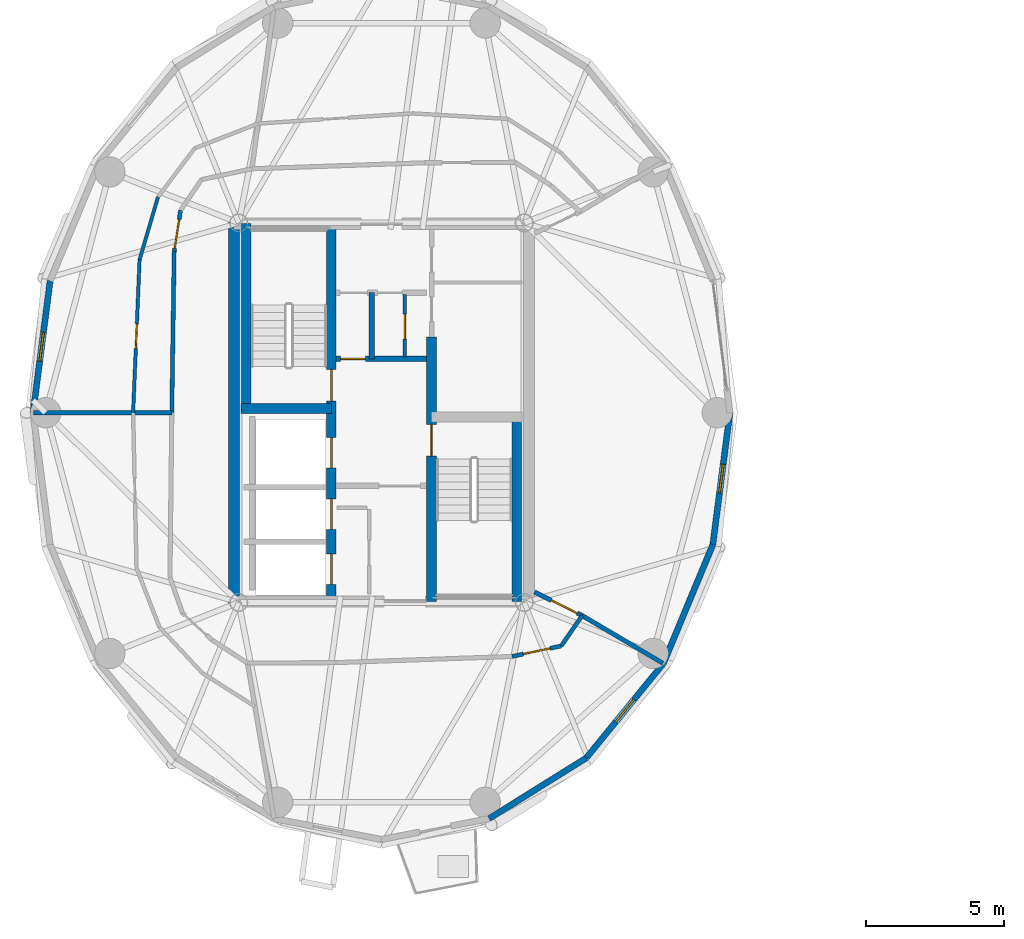
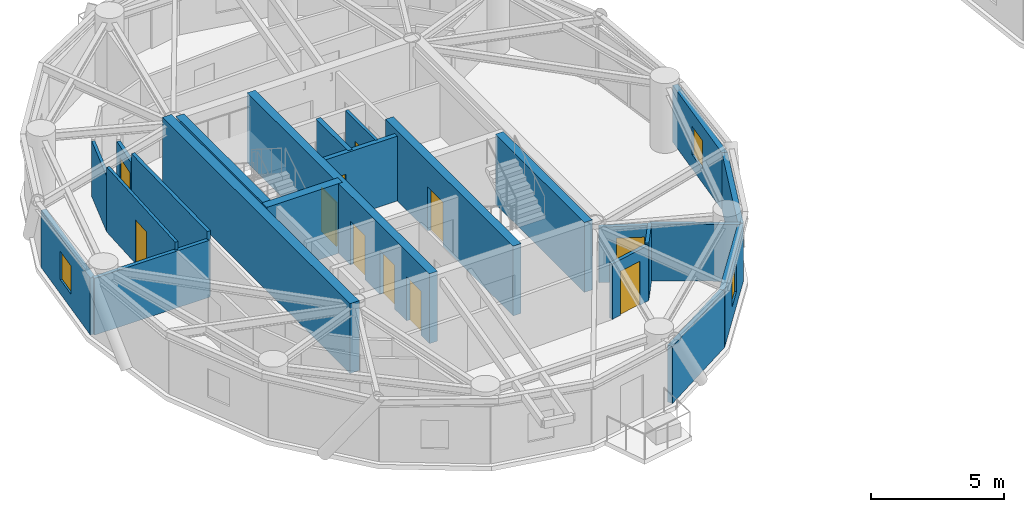
# One storey, part 9 of 17: 23 walls, 11 doors, 3 windows, 14 openings.
"""IFC4 building model written with IfcOpenShell, lengths in metres."""

from ifc_helpers import new_model, si_unit, direction, frame, frame_2d, origin, place, context, subcontext, project, spatial, rectangle, extrude, source, transform, mapped, material, layer, layer_set, type_object, element, fill, save


model = new_model("IFC4")

# Units and contexts
model_context = context("Model", 3, precision=1e-05, world=origin(), true_north=direction((0.0, 1.0)))
body_context = subcontext(model_context, "Body", "Model", "MODEL_VIEW")
ifc_project = project(units=[si_unit("LENGTHUNIT", "METRE"), si_unit("AREAUNIT", "SQUARE_METRE"), si_unit("VOLUMEUNIT", "CUBIC_METRE"), si_unit("PLANEANGLEUNIT", "RADIAN"), si_unit("MASSUNIT", "GRAM", prefix="KILO")], contexts=[model_context])

# Site, building, storey
site_placement = place(None, origin())
site = spatial("IfcSite", under=ifc_project, at=site_placement, CompositionType="ELEMENT")
building_placement = place(site_placement, origin())
building = spatial("IfcBuilding", under=site, at=building_placement, Name="Cununo Teusaquillo Station Towers", CompositionType="ELEMENT")
storey_placement = place(building_placement, frame((0.0, 0.0, 222.85009765625)))
storey = spatial("IfcBuildingStorey", under=building, at=storey_placement, Name="L71", CompositionType="ELEMENT", Elevation=222.85009765625)

# Wall, openings, doors
ifc_material_1 = material(Name="Concrete C50/60", Category="concrete")
ifc_layer_1 = layer(ifc_material_1, 0.35009765625)
ifc_layer_set_1 = layer_set([ifc_layer_1], Name="Concrete C50/60")
wall_type_1 = type_object("IfcWallType", Name="WL-CORE-350", PredefinedType="SHEAR", material=ifc_layer_set_1)
wall_1_placement = place(storey_placement, frame((14.68505859375, 17.64990234375, 0.0), z_axis=(0.0, 0.0, 1.0), x_axis=(0.0, 1.0, 0.0)))
wall_1 = element("IfcWall", 1, at=wall_1_placement, inside=storey, type_object=wall_type_1, Name="L71 Tower A Core Shear Wall IW", PredefinedType="SHEAR", context=body_context, shape_type="SweptSolid", body=[
    extrude(rectangle(XDim=13.7001953125, YDim=0.35009765625, at=frame_2d((6.85009765625, 0.0))), origin(), (0.0, 0.0, 1.0), 3.199951171875),
])
shared_shape_1 = source(origin(), body_context, "Body", "SweptSolid", [
    extrude(rectangle(XDim=1.10009765625, YDim=2.014892578125, at=frame_2d((0.550048828125, 1.00732421875))), frame((0.0, 0.18505859375, 0.0), z_axis=(0.0, -1.0, 0.0), x_axis=(1.0, 0.0, 0.0)), (0.0, 0.0, 1.0), 0.3701171875),
])
opening_1_placement = place(wall_1_placement, frame((4.85009765625, 0.0, 0.0)))
opening_1 = element("IfcOpeningElement", 2, at=opening_1_placement, cuts=wall_1, Name="Opening LD-01", PredefinedType="OPENING", context=body_context, shape_type="MappedRepresentation", body=[
    mapped(shared_shape_1, transform((0.0, 0.0, 0.0), x_axis=(1.0, 0.0, 0.0), y_axis=(0.0, 1.0, 0.0), z_axis=(0.0, 0.0, 1.0), scale=1.0)),
])
opening_2_placement = place(wall_1_placement, frame((0.625, 0.0, 0.0)))
opening_2 = element("IfcOpeningElement", 3, at=opening_2_placement, cuts=wall_1, Name="Opening LD-01", PredefinedType="OPENING", context=body_context, shape_type="MappedRepresentation", body=[
    mapped(shared_shape_1, transform((0.0, 0.0, 0.0), x_axis=(1.0, 0.0, 0.0), y_axis=(0.0, 1.0, 0.0), z_axis=(0.0, 0.0, 1.0), scale=1.0)),
])
opening_3_placement = place(wall_1_placement, frame((2.625, 0.0, 0.0)))
opening_3 = element("IfcOpeningElement", 4, at=opening_3_placement, cuts=wall_1, Name="Opening LD-01", PredefinedType="OPENING", context=body_context, shape_type="MappedRepresentation", body=[
    mapped(shared_shape_1, transform((0.0, 0.0, 0.0), x_axis=(1.0, 0.0, 0.0), y_axis=(0.0, 1.0, 0.0), z_axis=(0.0, 0.0, 1.0), scale=1.0)),
])
shared_shape_2 = source(origin(), body_context, "Body", "SweptSolid", [
    extrude(rectangle(XDim=1.14990234375, YDim=2.02001953125, at=frame_2d((0.574951171875, 1.010009765625))), frame((0.0, 0.18505859375, 0.0), z_axis=(0.0, -1.0, 0.0), x_axis=(1.0, 0.0, 0.0)), (0.0, 0.0, 1.0), 0.3701171875),
])
opening_4_placement = place(wall_1_placement, frame((7.27001953125, 0.0, 0.0)))
opening_4 = element("IfcOpeningElement", 5, at=opening_4_placement, cuts=wall_1, Name="Opening D-ST1", PredefinedType="OPENING", context=body_context, shape_type="MappedRepresentation", body=[
    mapped(shared_shape_2, transform((0.0, 0.0, 0.0), x_axis=(1.0, 0.0, 0.0), y_axis=(0.0, 1.0, 0.0), z_axis=(0.0, 0.0, 1.0), scale=1.0)),
])
ifc_material_2 = material(Name="Galvanised fire-rated hollow steel door assembly", Category="steel")
door_type_1 = type_object("IfcDoorType", Name="DR-LIFT-1100", OperationType="SLIDING_TO_LEFT", PredefinedType="DOOR", material=ifc_material_2)
shared_shape_3 = source(origin(), body_context, "Body", "SweptSolid", [
    extrude(rectangle(XDim=1.10009765625, YDim=2.014892578125, at=frame_2d((0.550048828125, 1.00732421875))), frame((0.0, 0.02490234375, 0.0), z_axis=(0.0, -1.0, 0.0), x_axis=(1.0, 0.0, 0.0)), (0.0, 0.0, 1.0), 0.050048828125),
])
door_1_placement = place(opening_1_placement, origin())
door_1 = element("IfcDoor", 6, at=door_1_placement, inside=storey, type_object=door_type_1, Name="L71 Lift FL-T1 Sliding Landing Door", OperationType="SLIDING_TO_RIGHT", OverallHeight=2.014892578125, OverallWidth=1.10009765625, PredefinedType="DOOR", context=body_context, shape_type="MappedRepresentation", body=[
    mapped(shared_shape_3, transform((0.0, 0.0, 0.0), x_axis=(1.0, 0.0, 0.0), y_axis=(0.0, 1.0, 0.0), z_axis=(0.0, 0.0, 1.0), scale=1.0)),
])
fill(opening_1, door_1)
door_2_placement = place(opening_2_placement, origin())
door_2 = element("IfcDoor", 7, at=door_2_placement, inside=storey, type_object=door_type_1, Name="L71 Lift PL-T1-H1 Sliding Landing Door", OperationType="SLIDING_TO_RIGHT", OverallHeight=2.014892578125, OverallWidth=1.10009765625, PredefinedType="DOOR", context=body_context, shape_type="MappedRepresentation", body=[
    mapped(shared_shape_3, transform((0.0, 0.0, 0.0), x_axis=(1.0, 0.0, 0.0), y_axis=(0.0, 1.0, 0.0), z_axis=(0.0, 0.0, 1.0), scale=1.0)),
])
fill(opening_2, door_2)
door_3_placement = place(opening_3_placement, origin())
door_3 = element("IfcDoor", 8, at=door_3_placement, inside=storey, type_object=door_type_1, Name="L71 Lift PL-T1-H2 Sliding Landing Door", OperationType="SLIDING_TO_LEFT", OverallHeight=2.014892578125, OverallWidth=1.10009765625, PredefinedType="DOOR", context=body_context, shape_type="MappedRepresentation", body=[
    mapped(shared_shape_3, transform((0.0, 0.0, 0.0), x_axis=(1.0, 0.0, 0.0), y_axis=(0.0, 1.0, 0.0), z_axis=(0.0, 0.0, 1.0), scale=1.0)),
])
fill(opening_3, door_3)
ifc_material_3 = material(Name="Galvanised fire-rated hollow steel door assembly", Category="steel")
door_type_2 = type_object("IfcDoorType", Name="DR-STAIR-1150", OperationType="NOTDEFINED", PredefinedType="DOOR", material=ifc_material_3)
shared_shape_4 = source(origin(), body_context, "Body", "SweptSolid", [
    extrude(rectangle(XDim=1.14990234375, YDim=2.02001953125, at=frame_2d((0.574951171875, 1.010009765625))), frame((0.0, 0.02490234375, 0.0), z_axis=(0.0, -1.0, 0.0), x_axis=(1.0, 0.0, 0.0)), (0.0, 0.0, 1.0), 0.050048828125),
])
door_4_placement = place(opening_4_placement, origin())
door_4 = element("IfcDoor", 9, at=door_4_placement, inside=storey, type_object=door_type_2, Name="L71 Tower A Exit Stair 1 Fire Door", OperationType="SINGLE_SWING_RIGHT", OverallHeight=2.02001953125, OverallWidth=1.14990234375, PredefinedType="DOOR", context=body_context, shape_type="MappedRepresentation", body=[
    mapped(shared_shape_4, transform((0.0, 0.0, 0.0), x_axis=(1.0, 0.0, 0.0), y_axis=(0.0, 1.0, 0.0), z_axis=(0.0, 0.0, 1.0), scale=1.0)),
])
fill(opening_4, door_4)

# Wall, opening, door
wall_2_placement = place(storey_placement, frame((18.31494140625, 17.64990234375, 0.0), z_axis=(0.0, 0.0, 1.0), x_axis=(0.0, 1.0, 0.0)))
wall_2 = element("IfcWall", 10, at=wall_2_placement, inside=storey, type_object=wall_type_1, Name="L71 Tower A Core Shear Wall IE", PredefinedType="SHEAR", context=body_context, shape_type="SweptSolid", body=[
    extrude(rectangle(XDim=9.60009765625, YDim=0.35009765625, at=frame_2d((4.800048828125, 0.0))), origin(), (0.0, 0.0, 1.0), 3.199951171875),
])
opening_5_placement = place(wall_2_placement, frame((5.280029296875, 0.0, 0.0)))
opening_5 = element("IfcOpeningElement", 11, at=opening_5_placement, cuts=wall_2, Name="Opening D-ST1", PredefinedType="OPENING", context=body_context, shape_type="MappedRepresentation", body=[
    mapped(shared_shape_2, transform((0.0, 0.0, 0.0), x_axis=(1.0, 0.0, 0.0), y_axis=(0.0, 1.0, 0.0), z_axis=(0.0, 0.0, 1.0), scale=1.0)),
])
door_5_placement = place(opening_5_placement, origin())
door_5 = element("IfcDoor", 12, at=door_5_placement, inside=storey, type_object=door_type_2, Name="L71 Tower A Exit Stair 2 Fire Door", OperationType="SINGLE_SWING_LEFT", OverallHeight=2.02001953125, OverallWidth=1.14990234375, PredefinedType="DOOR", context=body_context, shape_type="MappedRepresentation", body=[
    mapped(shared_shape_4, transform((0.0, 0.0, 0.0), x_axis=(1.0, 0.0, 0.0), y_axis=(0.0, 1.0, 0.0), z_axis=(0.0, 0.0, 1.0), scale=1.0)),
])
fill(opening_5, door_5)

# Walls
wall_3_placement = place(storey_placement, frame((11.594970703125, 24.655029296875, 0.0), z_axis=(0.0, 0.0, 1.0), x_axis=(0.0, 1.0, 0.0)))
element("IfcWall", 13, at=wall_3_placement, inside=storey, type_object=wall_type_1, Name="L71 Tower A Core Shear Wall ST1W", PredefinedType="SHEAR", context=body_context, shape_type="SweptSolid", body=[
    extrude(rectangle(XDim=6.695068359375, YDim=0.35009765625, at=frame_2d((3.34765625, 0.0))), origin(), (0.0, 0.0, 1.0), 3.199951171875),
])
wall_4_placement = place(storey_placement, frame((11.39990234375, 24.655029296875, 0.0), z_axis=(0.0, 0.0, 1.0), x_axis=(1.0, 0.0, 0.0)))
element("IfcWall", 14, at=wall_4_placement, inside=storey, type_object=wall_type_1, Name="L71 Tower A Core Shear Wall ST1S", PredefinedType="SHEAR", context=body_context, shape_type="SweptSolid", body=[
    extrude(rectangle(XDim=3.28515625, YDim=0.35009765625, at=frame_2d((1.642578125, 0.0))), origin(), (0.0, 0.0, 1.0), 3.199951171875),
])
wall_5_placement = place(storey_placement, frame((21.405029296875, 17.64990234375, 0.0), z_axis=(0.0, 0.0, 1.0), x_axis=(0.0, 1.0, 0.0)))
element("IfcWall", 15, at=wall_5_placement, inside=storey, type_object=wall_type_1, Name="L71 Tower A Core Shear Wall ST2E", PredefinedType="SHEAR", context=body_context, shape_type="SweptSolid", body=[
    extrude(rectangle(XDim=6.695068359375, YDim=0.35009765625, at=frame_2d((3.34765625, 0.0))), origin(), (0.0, 0.0, 1.0), 3.199951171875),
])
ifc_material_4 = material(Name="Concrete C50/60", Category="concrete")
ifc_layer_2 = layer(ifc_material_4, 0.39990234375)
ifc_layer_set_2 = layer_set([ifc_layer_2], Name="Concrete C50/60")
wall_type_2 = type_object("IfcWallType", Name="WL-CORE-400", PredefinedType="SHEAR", material=ifc_layer_set_2)
wall_6_placement = place(storey_placement, frame((11.14990234375, 17.449951171875, 0.0), z_axis=(0.0, 0.0, 1.0), x_axis=(0.0, 1.0, 0.0)))
element("IfcWall", 16, at=wall_6_placement, inside=storey, type_object=wall_type_2, Name="L71 Tower A Core Shear Wall W", PredefinedType="SHEAR", context=body_context, shape_type="SweptSolid", body=[
    extrude(rectangle(XDim=14.10009765625, YDim=0.39990234375, at=frame_2d((7.050048828125, 0.0))), origin(), (0.0, 0.0, 1.0), 3.199951171875),
])

# Wall, opening, window
ifc_material_5 = material(Name="Precast concrete C40/50", Category="concrete")
ifc_layer_3 = layer(ifc_material_5, 0.219970703125)
ifc_layer_set_3 = layer_set([ifc_layer_3], Name="Precast concrete C40/50")
wall_type_3 = type_object("IfcWallType", Name="WL-EXT-220", PredefinedType="SOLIDWALL", material=ifc_layer_set_3)
wall_7_placement = place(storey_placement, frame((3.8701171875, 24.5, 0.0), z_axis=(0.0, 0.0, 1.0), x_axis=(0.128241318541, 0.991742993027, 0.0)))
wall_7 = element("IfcWall", 17, at=wall_7_placement, inside=storey, type_object=wall_type_3, Name="L71 Tower A Exterior Facade Wall C09", PredefinedType="SOLIDWALL", context=body_context, shape_type="SweptSolid", body=[
    extrude(rectangle(XDim=4.8203125, YDim=0.219970703125, at=frame_2d((2.41015625, 0.0))), origin(), (0.0, 0.0, 1.0), 2.61181640625),
])
shared_shape_5 = source(origin(), body_context, "Body", "SweptSolid", [
    extrude(rectangle(XDim=1.050048828125, YDim=1.300048828125, at=frame_2d((0.52490234375, 0.64990234375))), frame((0.0, 0.119873046875, 0.0), z_axis=(0.0, -1.0, 0.0), x_axis=(1.0, 0.0, 0.0)), (0.0, 0.0, 1.0), 0.239990234375),
])
opening_6_placement = place(wall_7_placement, frame((1.885009765625, 0.0, 0.64990234375)))
opening_6 = element("IfcOpeningElement", 18, at=opening_6_placement, cuts=wall_7, Name="Opening WN-04", PredefinedType="OPENING", context=body_context, shape_type="MappedRepresentation", body=[
    mapped(shared_shape_5, transform((0.0, 0.0, 0.0), x_axis=(1.0, 0.0, 0.0), y_axis=(0.0, 1.0, 0.0), z_axis=(0.0, 0.0, 1.0), scale=1.0)),
])
ifc_material_6 = material(Name="Operable acoustic tinted low-E double glazing", Category="glass")
window_type = type_object("IfcWindowType", Name="WIN-BAL-1050", PartitioningType="SINGLE_PANEL", PredefinedType="WINDOW", material=ifc_material_6)
shared_shape_6 = source(origin(), body_context, "Body", "SweptSolid", [
    extrude(rectangle(XDim=1.050048828125, YDim=1.300048828125, at=frame_2d((0.52490234375, 0.64990234375))), frame((0.0, 0.030029296875, 0.0), z_axis=(0.0, -1.0, 0.0), x_axis=(1.0, 0.0, 0.0)), (0.0, 0.0, 1.0), 0.06005859375),
])
window_1_placement = place(opening_6_placement, origin())
window_1 = element("IfcWindow", 19, at=window_1_placement, inside=storey, type_object=window_type, Name="L71 Tower A Facade Window C09", OverallHeight=1.300048828125, OverallWidth=1.050048828125, PartitioningType="SINGLE_PANEL", PredefinedType="WINDOW", context=body_context, shape_type="MappedRepresentation", body=[
    mapped(shared_shape_6, transform((0.0, 0.0, 0.0), x_axis=(1.0, 0.0, 0.0), y_axis=(0.0, 1.0, 0.0), z_axis=(0.0, 0.0, 1.0), scale=1.0)),
])
fill(opening_6, window_1)

# Wall
wall_8_placement = place(storey_placement, frame((23.923583984375, 11.984619140625, 0.0), z_axis=(0.0, 0.0, 1.0), x_axis=(-0.848318713376, -0.529485939886, 0.0)))
element("IfcWall", 20, at=wall_8_placement, inside=storey, type_object=wall_type_3, Name="L71 Tower A Exterior Facade Wall C16", PredefinedType="SOLIDWALL", context=body_context, shape_type="SweptSolid", body=[
    extrude(rectangle(XDim=4.150390625, YDim=0.219970703125, at=frame_2d((2.0751953125, 0.0))), origin(), (0.0, 0.0, 1.0), 2.61181640625),
])

# Wall, opening, window
wall_9_placement = place(storey_placement, frame((26.718017578125, 15.406982421875, 0.0), z_axis=(0.0, 0.0, 1.0), x_axis=(-0.632467166636, -0.774587169483, 0.0)))
wall_9 = element("IfcWall", 21, at=wall_9_placement, inside=storey, type_object=wall_type_3, Name="L71 Tower A Exterior Facade Wall C17", PredefinedType="SOLIDWALL", context=body_context, shape_type="SweptSolid", body=[
    extrude(rectangle(XDim=4.418212890625, YDim=0.219970703125, at=frame_2d((2.208984375, 0.0))), origin(), (0.0, 0.0, 1.0), 2.61181640625),
])
opening_7_placement = place(wall_9_placement, frame((1.68408203125, 0.0, 0.64990234375)))
opening_7 = element("IfcOpeningElement", 22, at=opening_7_placement, cuts=wall_9, Name="Opening WN-04", PredefinedType="OPENING", context=body_context, shape_type="MappedRepresentation", body=[
    mapped(shared_shape_5, transform((0.0, 0.0, 0.0), x_axis=(1.0, 0.0, 0.0), y_axis=(0.0, 1.0, 0.0), z_axis=(0.0, 0.0, 1.0), scale=1.0)),
])
window_2_placement = place(opening_7_placement, origin())
window_2 = element("IfcWindow", 23, at=window_2_placement, inside=storey, type_object=window_type, Name="L71 Tower A Facade Window C17", OverallHeight=1.300048828125, OverallWidth=1.050048828125, PartitioningType="SINGLE_PANEL", PredefinedType="WINDOW", context=body_context, shape_type="MappedRepresentation", body=[
    mapped(shared_shape_6, transform((0.0, 0.0, 0.0), x_axis=(1.0, 0.0, 0.0), y_axis=(0.0, 1.0, 0.0), z_axis=(0.0, 0.0, 1.0), scale=1.0)),
])
fill(opening_7, window_2)

# Wall
wall_10_placement = place(storey_placement, frame((28.51171875, 19.719482421875, 0.0), z_axis=(0.0, 0.0, 1.0), x_axis=(-0.384036305194, -0.923317993052, 0.0)))
element("IfcWall", 24, at=wall_10_placement, inside=storey, type_object=wall_type_3, Name="L71 Tower A Exterior Facade Wall C18", PredefinedType="SOLIDWALL", context=body_context, shape_type="SweptSolid", body=[
    extrude(rectangle(XDim=4.670654296875, YDim=0.219970703125, at=frame_2d((2.33544921875, 0.0))), origin(), (0.0, 0.0, 1.0), 2.61181640625),
])

# Wall, opening, window
wall_11_placement = place(storey_placement, frame((29.1298828125, 24.5, 0.0), z_axis=(0.0, 0.0, 1.0), x_axis=(-0.128241318541, -0.991742993027, 0.0)))
wall_11 = element("IfcWall", 25, at=wall_11_placement, inside=storey, type_object=wall_type_3, Name="L71 Tower A Exterior Facade Wall C19", PredefinedType="SOLIDWALL", context=body_context, shape_type="SweptSolid", body=[
    extrude(rectangle(XDim=4.8203125, YDim=0.219970703125, at=frame_2d((2.41015625, 0.0))), origin(), (0.0, 0.0, 1.0), 2.61181640625),
])
opening_8_placement = place(wall_11_placement, frame((1.885009765625, 0.0, 0.64990234375)))
opening_8 = element("IfcOpeningElement", 26, at=opening_8_placement, cuts=wall_11, Name="Opening WN-04", PredefinedType="OPENING", context=body_context, shape_type="MappedRepresentation", body=[
    mapped(shared_shape_5, transform((0.0, 0.0, 0.0), x_axis=(1.0, 0.0, 0.0), y_axis=(0.0, 1.0, 0.0), z_axis=(0.0, 0.0, 1.0), scale=1.0)),
])
window_3_placement = place(opening_8_placement, origin())
window_3 = element("IfcWindow", 27, at=window_3_placement, inside=storey, type_object=window_type, Name="L71 Tower A Facade Window C19", OverallHeight=1.300048828125, OverallWidth=1.050048828125, PartitioningType="SINGLE_PANEL", PredefinedType="WINDOW", context=body_context, shape_type="MappedRepresentation", body=[
    mapped(shared_shape_6, transform((0.0, 0.0, 0.0), x_axis=(1.0, 0.0, 0.0), y_axis=(0.0, 1.0, 0.0), z_axis=(0.0, 0.0, 1.0), scale=1.0)),
])
fill(opening_8, window_3)

# Wall, opening, door
ifc_material_7 = material(Name="Fire-rated gypsum plasterboard partition assembly", Category="gypsum")
ifc_layer_4 = layer(ifc_material_7, 0.125)
ifc_layer_set_4 = layer_set([ifc_layer_4], Name="Fire-rated gypsum plasterboard partition assembly")
wall_type_4 = type_object("IfcWallType", Name="WL-PART-125", PredefinedType="PARTITIONING", material=ifc_layer_set_4)
wall_12_placement = place(storey_placement, frame((17.35009765625, 26.52001953125, 0.0), z_axis=(0.0, 0.0, 1.0), x_axis=(0.0, 1.0, 0.0)))
wall_12 = element("IfcWall", 28, at=wall_12_placement, inside=storey, type_object=wall_type_4, Name="L71 Tower A Core Vertical Split Wall", PredefinedType="PARTITIONING", context=body_context, shape_type="SweptSolid", body=[
    extrude(rectangle(XDim=2.260009765625, YDim=0.125, at=frame_2d((1.1298828125, 0.0))), origin(), (0.0, 0.0, 1.0), 2.974853515625),
])
shared_shape_7 = source(origin(), body_context, "Body", "SweptSolid", [
    extrude(rectangle(XDim=0.89990234375, YDim=2.0048828125, at=frame_2d((0.449951171875, 1.00244140625))), frame((0.0, 0.072509765625, 0.0), z_axis=(0.0, -1.0, 0.0), x_axis=(1.0, 0.0, 0.0)), (0.0, 0.0, 1.0), 0.14501953125),
])
opening_9_placement = place(wall_12_placement, frame((0.64990234375, 0.0, 0.0)))
opening_9 = element("IfcOpeningElement", 29, at=opening_9_placement, cuts=wall_12, Name="Opening D-SR1", PredefinedType="OPENING", context=body_context, shape_type="MappedRepresentation", body=[
    mapped(shared_shape_7, transform((0.0, 0.0, 0.0), x_axis=(1.0, 0.0, 0.0), y_axis=(0.0, 1.0, 0.0), z_axis=(0.0, 0.0, 1.0), scale=1.0)),
])
ifc_material_8 = material(Name="Galvanised fire-rated hollow steel door assembly", Category="steel")
door_type_3 = type_object("IfcDoorType", Name="DR-STORE-900", OperationType="NOTDEFINED", PredefinedType="DOOR", material=ifc_material_8)
shared_shape_8 = source(origin(), body_context, "Body", "SweptSolid", [
    extrude(rectangle(XDim=0.89990234375, YDim=2.0048828125, at=frame_2d((0.449951171875, 1.00244140625))), frame((0.0, 0.02490234375, 0.0), z_axis=(0.0, -1.0, 0.0), x_axis=(1.0, 0.0, 0.0)), (0.0, 0.0, 1.0), 0.050048828125),
])
door_6_placement = place(opening_9_placement, origin())
door_6 = element("IfcDoor", 30, at=door_6_placement, inside=storey, type_object=door_type_3, Name="L71 Tower A Core Electrical Room Door", OperationType="SINGLE_SWING_RIGHT", OverallHeight=2.0048828125, OverallWidth=0.89990234375, PredefinedType="DOOR", context=body_context, shape_type="MappedRepresentation", body=[
    mapped(shared_shape_8, transform((0.0, 0.0, 0.0), x_axis=(1.0, 0.0, 0.0), y_axis=(0.0, 1.0, 0.0), z_axis=(0.0, 0.0, 1.0), scale=1.0)),
])
fill(opening_9, door_6)

# Wall
wall_13_placement = place(storey_placement, frame((8.40087890625, 32.32568359375, 0.0), z_axis=(0.0, 0.0, 1.0), x_axis=(-0.281681886596, -0.959507850288, 0.0)))
element("IfcWall", 31, at=wall_13_placement, inside=storey, type_object=wall_type_4, Name="L71 Tower A Chef Tasting Counter & Wine Vault Concentric Partition Wall C08", PredefinedType="PARTITIONING", context=body_context, shape_type="SweptSolid", body=[
    extrude(rectangle(XDim=2.3740234375, YDim=0.125, at=frame_2d((1.18701171875, 0.0))), origin(), (0.0, 0.0, 1.0), 2.544921875),
])

# Wall, opening, door
wall_14_placement = place(storey_placement, frame((7.732177734375, 30.0478515625, 0.0), z_axis=(0.0, 0.0, 1.0), x_axis=(-0.042296211955, -0.999105114817, 0.0)))
wall_14 = element("IfcWall", 32, at=wall_14_placement, inside=storey, type_object=wall_type_4, Name="L71 Tower A Chef Tasting Counter & Wine Vault Concentric Partition Wall C09", PredefinedType="PARTITIONING", context=body_context, shape_type="SweptSolid", body=[
    extrude(rectangle(XDim=5.552734375, YDim=0.125, at=frame_2d((2.7763671875, 0.0))), origin(), (0.0, 0.0, 1.0), 2.974853515625),
])
opening_10_placement = place(wall_14_placement, frame((2.326416015625, 0.0, 0.0)))
opening_10 = element("IfcOpeningElement", 33, at=opening_10_placement, cuts=wall_14, Name="Opening D-IN1", PredefinedType="OPENING", context=body_context, shape_type="MappedRepresentation", body=[
    mapped(shared_shape_7, transform((0.0, 0.0, 0.0), x_axis=(1.0, 0.0, 0.0), y_axis=(0.0, 1.0, 0.0), z_axis=(0.0, 0.0, 1.0), scale=1.0)),
])
ifc_material_9 = material(Name="Acoustic solid-core hardwood leaf assembly", Category="wood")
door_type_4 = type_object("IfcDoorType", Name="DR-INT-900", OperationType="NOTDEFINED", PredefinedType="DOOR", material=ifc_material_9)
door_7_placement = place(opening_10_placement, origin())
door_7 = element("IfcDoor", 34, at=door_7_placement, inside=storey, type_object=door_type_4, Name="L71 Tower A Chef Tasting Counter & Wine Vault Connecting Door", OperationType="SINGLE_SWING_RIGHT", OverallHeight=2.0048828125, OverallWidth=0.89990234375, PredefinedType="DOOR", context=body_context, shape_type="MappedRepresentation", body=[
    mapped(shared_shape_8, transform((0.0, 0.0, 0.0), x_axis=(1.0, 0.0, 0.0), y_axis=(0.0, 1.0, 0.0), z_axis=(0.0, 0.0, 1.0), scale=1.0)),
])
fill(opening_10, door_7)

ifc_material_10 = material(Name="Fire-rated gypsum plasterboard partition assembly", Category="gypsum")
ifc_layer_5 = layer(ifc_material_10, 0.14990234375)
ifc_layer_set_5 = layer_set([ifc_layer_5], Name="Fire-rated gypsum plasterboard partition assembly")
wall_type_5 = type_object("IfcWallType", Name="WL-PART-150", PredefinedType="PARTITIONING", material=ifc_layer_set_5)
wall_15_placement = place(storey_placement, frame((9.218505859375, 31.837646484375, 0.0), z_axis=(0.0, 0.0, 1.0), x_axis=(-0.154065528966, -0.98806063214, 0.0)))
wall_15 = element("IfcWall", 35, at=wall_15_placement, inside=storey, type_object=wall_type_5, Name="L71 Tower A Corridor Ring Wall C08", PredefinedType="PARTITIONING", context=body_context, shape_type="SweptSolid", body=[
    extrude(rectangle(XDim=1.507080078125, YDim=0.14990234375, at=frame_2d((0.75341796875, 0.0))), origin(), (0.0, 0.0, 1.0), 2.544921875),
])
shared_shape_9 = source(origin(), body_context, "Body", "SweptSolid", [
    extrude(rectangle(XDim=1.050048828125, YDim=2.014892578125, at=frame_2d((0.52490234375, 1.00732421875))), frame((0.0, 0.0849609375, 0.0), z_axis=(0.0, -1.0, 0.0), x_axis=(1.0, 0.0, 0.0)), (0.0, 0.0, 1.0), 0.169921875),
])
opening_11_placement = place(wall_15_placement, frame((0.3369140625, 0.0, 0.0)))
opening_11 = element("IfcOpeningElement", 36, at=opening_11_placement, cuts=wall_15, Name="Opening D-SU1", PredefinedType="OPENING", context=body_context, shape_type="MappedRepresentation", body=[
    mapped(shared_shape_9, transform((0.0, 0.0, 0.0), x_axis=(1.0, 0.0, 0.0), y_axis=(0.0, 1.0, 0.0), z_axis=(0.0, 0.0, 1.0), scale=1.0)),
])
ifc_material_11 = material(Name="Acoustic solid-core hardwood leaf assembly", Category="wood")
door_type_5 = type_object("IfcDoorType", Name="DR-SUITE-1050", OperationType="NOTDEFINED", PredefinedType="DOOR", material=ifc_material_11)
shared_shape_10 = source(origin(), body_context, "Body", "SweptSolid", [
    extrude(rectangle(XDim=1.050048828125, YDim=2.014892578125, at=frame_2d((0.52490234375, 1.00732421875))), frame((0.0, 0.02490234375, 0.0), z_axis=(0.0, -1.0, 0.0), x_axis=(1.0, 0.0, 0.0)), (0.0, 0.0, 1.0), 0.050048828125),
])
door_8_placement = place(opening_11_placement, origin())
door_8 = element("IfcDoor", 37, at=door_8_placement, inside=storey, type_object=door_type_5, Name="L71 Tower A Chef Tasting Counter & Wine Vault Entrance Door", OperationType="SINGLE_SWING_LEFT", OverallHeight=2.014892578125, OverallWidth=1.050048828125, PredefinedType="DOOR", context=body_context, shape_type="MappedRepresentation", body=[
    mapped(shared_shape_10, transform((0.0, 0.0, 0.0), x_axis=(1.0, 0.0, 0.0), y_axis=(0.0, 1.0, 0.0), z_axis=(0.0, 0.0, 1.0), scale=1.0)),
])
fill(opening_11, door_8)

# Wall
wall_16_placement = place(storey_placement, frame((8.986328125, 30.3486328125, 0.0), z_axis=(0.0, 0.0, 1.0), x_axis=(-0.014775478218, -0.999890836663, 0.0)))
element("IfcWall", 38, at=wall_16_placement, inside=storey, type_object=wall_type_5, Name="L71 Tower A Corridor Ring Wall C09", PredefinedType="PARTITIONING", context=body_context, shape_type="SweptSolid", body=[
    extrude(rectangle(XDim=5.849365234375, YDim=0.14990234375, at=frame_2d((2.9248046875, 0.0))), origin(), (0.0, 0.0, 1.0), 2.974853515625),
])

# Wall, opening, door
wall_17_placement = place(storey_placement, frame((21.23388671875, 15.664306640625, 0.0), z_axis=(0.0, 0.0, 1.0), x_axis=(0.977931581182, 0.208925399431, 0.0)))
wall_17 = element("IfcWall", 39, at=wall_17_placement, inside=storey, type_object=wall_type_5, Name="L71 Tower A Corridor Ring Wall C16", PredefinedType="PARTITIONING", context=body_context, shape_type="SweptSolid", body=[
    extrude(rectangle(XDim=1.822998046875, YDim=0.14990234375, at=frame_2d((0.91162109375, 0.0))), origin(), (0.0, 0.0, 1.0), 2.544921875),
])
shared_shape_11 = source(origin(), body_context, "Body", "SweptSolid", [
    extrude(rectangle(XDim=1.0, YDim=2.014892578125, at=frame_2d((0.5, 1.00732421875))), frame((0.0, 0.0849609375, 0.0), z_axis=(0.0, -1.0, 0.0), x_axis=(1.0, 0.0, 0.0)), (0.0, 0.0, 1.0), 0.169921875),
])
opening_12_placement = place(wall_17_placement, frame((0.41162109375, 0.0, 0.0)))
opening_12 = element("IfcOpeningElement", 40, at=opening_12_placement, cuts=wall_17, Name="Opening D-AC1", PredefinedType="OPENING", context=body_context, shape_type="MappedRepresentation", body=[
    mapped(shared_shape_11, transform((0.0, 0.0, 0.0), x_axis=(1.0, 0.0, 0.0), y_axis=(0.0, 1.0, 0.0), z_axis=(0.0, 0.0, 1.0), scale=1.0)),
])
ifc_material_12 = material(Name="Acoustic solid-core hardwood leaf assembly", Category="wood")
door_type_6 = type_object("IfcDoorType", Name="DR-ACC-1000", OperationType="NOTDEFINED", PredefinedType="DOOR", material=ifc_material_12)
shared_shape_12 = source(origin(), body_context, "Body", "SweptSolid", [
    extrude(rectangle(XDim=1.0, YDim=2.014892578125, at=frame_2d((0.5, 1.00732421875))), frame((0.0, 0.02490234375, 0.0), z_axis=(0.0, -1.0, 0.0), x_axis=(1.0, 0.0, 0.0)), (0.0, 0.0, 1.0), 0.050048828125),
])
door_9_placement = place(opening_12_placement, origin())
door_9 = element("IfcDoor", 41, at=door_9_placement, inside=storey, type_object=door_type_6, Name="L71 Tower A Public Accessible Restroom WC Entrance Door", OperationType="SINGLE_SWING_LEFT", OverallHeight=2.014892578125, OverallWidth=1.0, PredefinedType="DOOR", context=body_context, shape_type="MappedRepresentation", body=[
    mapped(shared_shape_12, transform((0.0, 0.0, 0.0), x_axis=(1.0, 0.0, 0.0), y_axis=(0.0, 1.0, 0.0), z_axis=(0.0, 0.0, 1.0), scale=1.0)),
])
fill(opening_12, door_9)

# Walls
wall_18_placement = place(storey_placement, frame((23.0166015625, 16.045166015625, 0.0), z_axis=(0.0, 0.0, 1.0), x_axis=(0.566660656138, 0.823951273308, 0.0)))
element("IfcWall", 42, at=wall_18_placement, inside=storey, type_object=wall_type_5, Name="L71 Tower A Corridor Ring Wall C17", PredefinedType="PARTITIONING", context=body_context, shape_type="SweptSolid", body=[
    extrude(rectangle(XDim=1.3359375, YDim=0.14990234375, at=frame_2d((0.66796875, 0.0))), origin(), (0.0, 0.0, 1.0), 2.61181640625),
])
ifc_material_13 = material(Name="Fire-rated gypsum plasterboard partition assembly", Category="gypsum")
ifc_layer_6 = layer(ifc_material_13, 0.159912109375)
ifc_layer_set_6 = layer_set([ifc_layer_6], Name="Fire-rated gypsum plasterboard partition assembly")
wall_type_6 = type_object("IfcWallType", Name="WL-PART-160", PredefinedType="PARTITIONING", material=ifc_layer_set_6)
wall_19_placement = place(storey_placement, frame((8.89990234375, 24.5, 0.0), z_axis=(0.0, 0.0, 1.0), x_axis=(-1.0, 0.0, 0.0)))
element("IfcWall", 43, at=wall_19_placement, inside=storey, type_object=wall_type_6, Name="L71 Tower A Radial Suite Partition R03", PredefinedType="PARTITIONING", context=body_context, shape_type="SweptSolid", body=[
    extrude(rectangle(XDim=5.010009765625, YDim=0.159912109375, at=frame_2d((2.5048828125, 0.0))), origin(), (0.0, 0.0, 1.0), 2.61181640625),
])
wall_20_placement = place(storey_placement, frame((23.773681640625, 17.14599609375, 0.0), z_axis=(0.0, 0.0, 1.0), x_axis=(0.861296601099, -0.508102514198, 0.0)))
element("IfcWall", 44, at=wall_20_placement, inside=storey, type_object=wall_type_6, Name="L71 Tower A Radial Suite Partition R05", PredefinedType="PARTITIONING", context=body_context, shape_type="SweptSolid", body=[
    extrude(rectangle(XDim=3.3994140625, YDim=0.159912109375, at=frame_2d((1.69970703125, 0.0))), origin(), (0.0, 0.0, 1.0), 2.61181640625),
])

# Wall, opening, door
wall_21_placement = place(storey_placement, frame((22.050048828125, 18.0, 0.0), z_axis=(0.0, 0.0, 1.0), x_axis=(0.896045848613, -0.443961526692, 0.0)))
wall_21 = element("IfcWall", 45, at=wall_21_placement, inside=storey, type_object=wall_type_6, Name="L71 Tower A East Salon Corridor Portal Wall SE", PredefinedType="PARTITIONING", context=body_context, shape_type="SweptSolid", body=[
    extrude(rectangle(XDim=1.923583984375, YDim=0.159912109375, at=frame_2d((0.9619140625, 0.0))), origin(), (0.0, 0.0, 1.0), 2.544921875),
])
shared_shape_13 = source(origin(), body_context, "Body", "SweptSolid", [
    extrude(rectangle(XDim=1.050048828125, YDim=2.014892578125, at=frame_2d((0.52490234375, 1.00732421875))), frame((0.0, 0.08984375, 0.0), z_axis=(0.0, -1.0, 0.0), x_axis=(1.0, 0.0, 0.0)), (0.0, 0.0, 1.0), 0.179931640625),
])
opening_13_placement = place(wall_21_placement, frame((0.673583984375, 0.0, 0.0)))
opening_13 = element("IfcOpeningElement", 46, at=opening_13_placement, cuts=wall_21, Name="Opening D-SU1", PredefinedType="OPENING", context=body_context, shape_type="MappedRepresentation", body=[
    mapped(shared_shape_13, transform((0.0, 0.0, 0.0), x_axis=(1.0, 0.0, 0.0), y_axis=(0.0, 1.0, 0.0), z_axis=(0.0, 0.0, 1.0), scale=1.0)),
])
door_10_placement = place(opening_13_placement, origin())
door_10 = element("IfcDoor", 47, at=door_10_placement, inside=storey, type_object=door_type_5, Name="L71 Tower A East Panorama Sky Salon Door SE", OperationType="SINGLE_SWING_RIGHT", OverallHeight=2.014892578125, OverallWidth=1.050048828125, PredefinedType="DOOR", context=body_context, shape_type="MappedRepresentation", body=[
    mapped(shared_shape_10, transform((0.0, 0.0, 0.0), x_axis=(1.0, 0.0, 0.0), y_axis=(0.0, 1.0, 0.0), z_axis=(0.0, 0.0, 1.0), scale=1.0)),
])
fill(opening_13, door_10)

ifc_material_14 = material(Name="Fire-rated gypsum plasterboard partition assembly", Category="gypsum")
ifc_layer_7 = layer(ifc_material_14, 0.199951171875)
ifc_layer_set_7 = layer_set([ifc_layer_7], Name="Fire-rated gypsum plasterboard partition assembly")
wall_type_7 = type_object("IfcWallType", Name="WL-PART-200", PredefinedType="PARTITIONING", material=ifc_layer_set_7)
wall_22_placement = place(storey_placement, frame((14.860107421875, 26.449951171875, 0.0), z_axis=(0.0, 0.0, 1.0), x_axis=(1.0, 0.0, 0.0)))
wall_22 = element("IfcWall", 48, at=wall_22_placement, inside=storey, type_object=wall_type_7, Name="L71 Tower A Firefighting Lift Lobby North Fire Wall", PredefinedType="PARTITIONING", context=body_context, shape_type="SweptSolid", body=[
    extrude(rectangle(XDim=3.27978515625, YDim=0.199951171875, at=frame_2d((1.639892578125, 0.0))), origin(), (0.0, 0.0, 1.0), 2.974853515625),
])
shared_shape_14 = source(origin(), body_context, "Body", "SweptSolid", [
    extrude(rectangle(XDim=0.89990234375, YDim=2.0048828125, at=frame_2d((0.449951171875, 1.00244140625))), frame((0.0, 0.10986328125, 0.0), z_axis=(0.0, -1.0, 0.0), x_axis=(1.0, 0.0, 0.0)), (0.0, 0.0, 1.0), 0.219970703125),
])
opening_14_placement = place(wall_22_placement, frame((0.159912109375, 0.0, 0.0)))
opening_14 = element("IfcOpeningElement", 49, at=opening_14_placement, cuts=wall_22, Name="Opening D-SR1", PredefinedType="OPENING", context=body_context, shape_type="MappedRepresentation", body=[
    mapped(shared_shape_14, transform((0.0, 0.0, 0.0), x_axis=(1.0, 0.0, 0.0), y_axis=(0.0, 1.0, 0.0), z_axis=(0.0, 0.0, 1.0), scale=1.0)),
])
door_11_placement = place(opening_14_placement, origin())
door_11 = element("IfcDoor", 50, at=door_11_placement, inside=storey, type_object=door_type_3, Name="L71 Tower A Stair 1 Protected Vestibule South Door", OperationType="SINGLE_SWING_RIGHT", OverallHeight=2.0048828125, OverallWidth=0.89990234375, PredefinedType="DOOR", context=body_context, shape_type="MappedRepresentation", body=[
    mapped(shared_shape_8, transform((0.0, 0.0, 0.0), x_axis=(1.0, 0.0, 0.0), y_axis=(0.0, 1.0, 0.0), z_axis=(0.0, 0.0, 1.0), scale=1.0)),
])
fill(opening_14, door_11)

# Wall
wall_23_placement = place(storey_placement, frame((16.14990234375, 26.449951171875, 0.0), z_axis=(0.0, 0.0, 1.0), x_axis=(0.0, 1.0, 0.0)))
element("IfcWall", 51, at=wall_23_placement, inside=storey, type_object=wall_type_7, Name="L71 Tower A Stair 1 Vestibule Partition Wall", PredefinedType="PARTITIONING", context=body_context, shape_type="SweptSolid", body=[
    extrude(rectangle(XDim=2.400146484375, YDim=0.199951171875, at=frame_2d((1.2001953125, 0.0))), origin(), (0.0, 0.0, 1.0), 2.974853515625),
])

save(model, "model.ifc")
